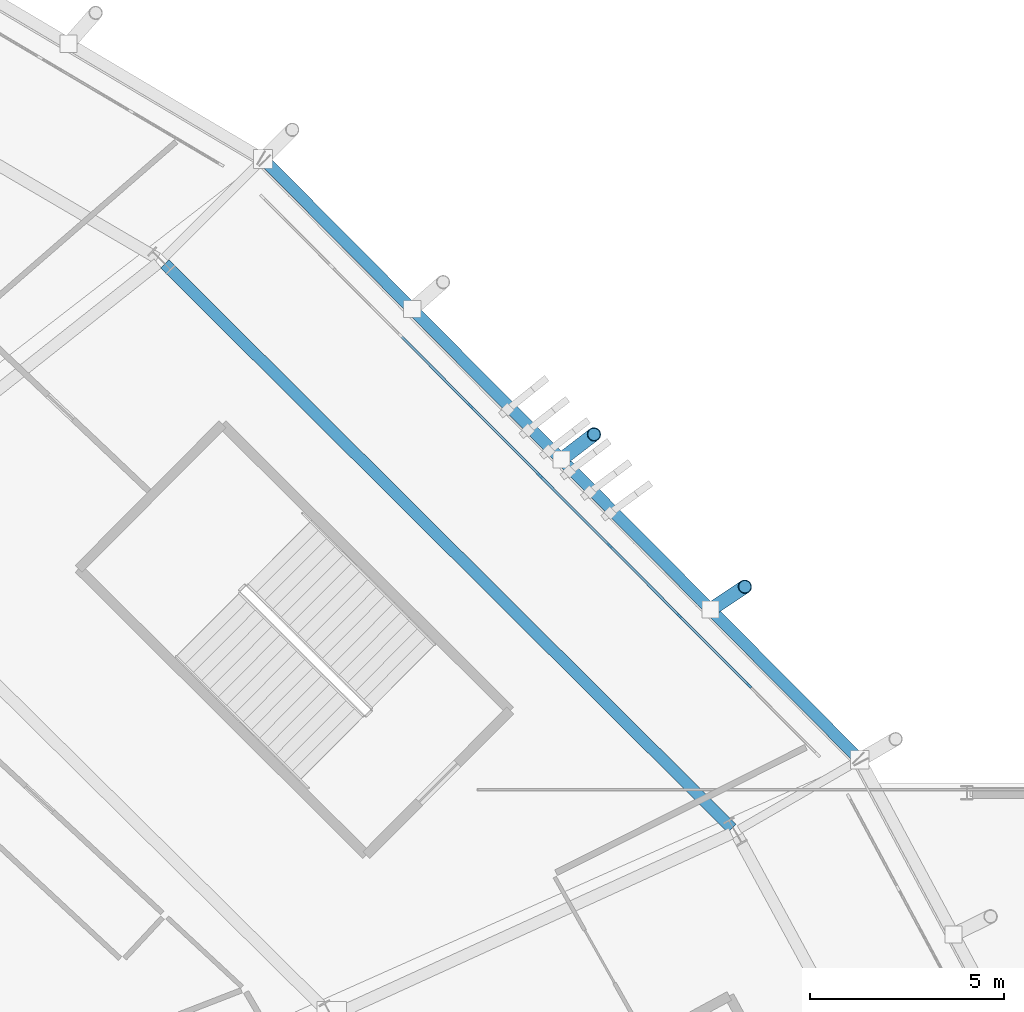
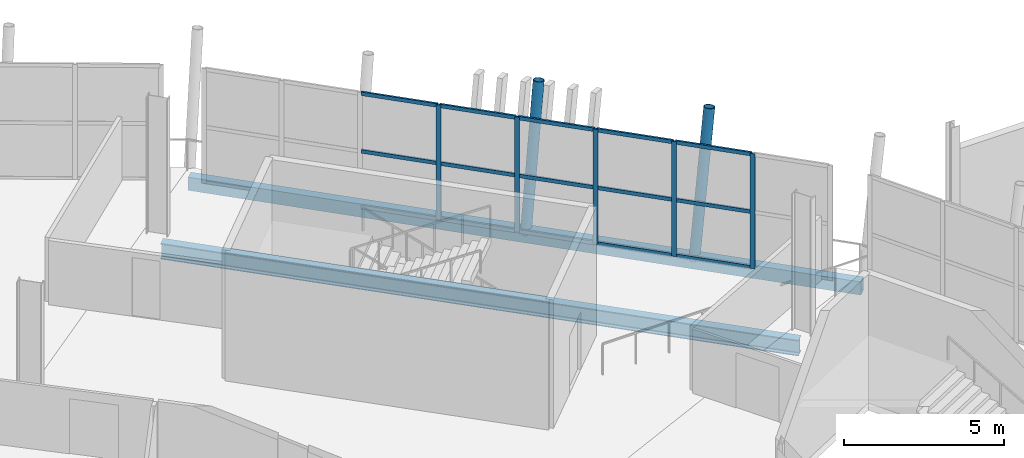
# One storey, part 58 of 168: 22 members, 2 beams, 1 element without a shape of its own.
"""IFC4 building model written with IfcOpenShell, lengths in metres."""

import ifcopenshell
import ifcopenshell.guid

model = None  # the IFC model being written
_history = None  # IfcOwnerHistory: only IFC2X3 demands one
_inside = {}  # id of a spatial element -> (the spatial element, [elements in it])
_under = {}  # id of a project, library or spatial element -> (it, [spatial elements below it])
_declared = {}  # id of a project -> (the project, [libraries it declares])
_typed = {}  # id of a type object -> (the type object, [elements of that type])
_made_of = {}  # id of a material, layer set ... -> (it, [elements and type objects made of it])


def new_model(schema):
    """Start an empty IFC model of exactly this schema.

    Asked for "IFC4X3", IfcOpenShell would pick the latest addendum, in which some entities
    have other attributes; the version numbers below select the first issue.
    IFC2X3 requires an IfcOwnerHistory on every rooted entity: one is made here for all.
    """
    global model, _history
    if schema == "IFC4X3":
        model = ifcopenshell.file(schema_version=(4, 3, 0, 0))
    else:
        model = ifcopenshell.file(schema=schema)
    _inside.clear()
    _under.clear()
    _declared.clear()
    _typed.clear()
    _made_of.clear()
    _history = None
    if model.schema == "IFC2X3":
        org = make("IfcOrganization", Name="unknown")
        user = make(
            "IfcPersonAndOrganization",
            ThePerson=make("IfcPerson", FamilyName="unknown"),
            TheOrganization=org,
        )
        app = make(
            "IfcApplication",
            ApplicationDeveloper=org,
            Version="unknown",
            ApplicationFullName="unknown",
            ApplicationIdentifier="unknown",
        )
        _history = make(
            "IfcOwnerHistory",
            OwningUser=user,
            OwningApplication=app,
            ChangeAction="ADDED",
            CreationDate=0,
        )
    return model


def make(cls, **values):
    """One entity of the class cls with the attributes given. An attribute that is None is left unset."""
    return model.create_entity(
        cls, **{name: value for name, value in values.items() if value is not None}
    )


def rooted(cls, **values):
    """An entity with a GlobalId (a new one), such as an element, a storey or a relation."""
    return make(cls, GlobalId=ifcopenshell.guid.new(), OwnerHistory=_history, **values)


def si_unit(unit_type, name, prefix=None):
    """IfcSIUnit, for example si_unit("LENGTHUNIT", "METRE", prefix="MILLI")."""
    return make("IfcSIUnit", UnitType=unit_type, Prefix=prefix, Name=name)


def assignment(units):
    """IfcUnitAssignment: the units of a project."""
    return None if units is None else make("IfcUnitAssignment", Units=units)


def point(xyz):
    """IfcCartesianPoint."""
    return None if xyz is None else make("IfcCartesianPoint", Coordinates=xyz)


def direction(xyz):
    """IfcDirection."""
    return None if xyz is None else make("IfcDirection", DirectionRatios=xyz)


def frame(location, z_axis=None, x_axis=None):
    """IfcAxis2Placement3D, a coordinate frame: its origin and axes. An axis left out is left unset."""
    return make(
        "IfcAxis2Placement3D",
        Location=point(location),
        Axis=direction(z_axis),
        RefDirection=direction(x_axis),
    )


def frame_2d(location, x_axis=None):
    """IfcAxis2Placement2D, a coordinate frame in the plane: its origin and x axis."""
    return make(
        "IfcAxis2Placement2D", Location=point(location), RefDirection=direction(x_axis)
    )


def origin():
    """The frame at (0, 0, 0) with its axes left unset."""
    return frame((0.0, 0.0, 0.0))


def origin_2d():
    """The frame at (0, 0) in the plane with its x axis left unset."""
    return frame_2d((0.0, 0.0))


def place(relative_to, where):
    """IfcLocalPlacement: puts the frame where relative to a parent placement (None: the world)."""
    return make(
        "IfcLocalPlacement", PlacementRelTo=relative_to, RelativePlacement=where
    )


def context(
    kind, dimensions, precision=None, world=None, true_north=None, identifier=None
):
    """IfcGeometricRepresentationContext, for example the 3D "Model" context."""
    return make(
        "IfcGeometricRepresentationContext",
        ContextIdentifier=identifier,
        ContextType=kind,
        CoordinateSpaceDimension=dimensions,
        Precision=precision,
        WorldCoordinateSystem=world,
        TrueNorth=true_north,
    )


def subcontext(parent, identifier, kind, view, scale=None):
    """IfcGeometricRepresentationSubContext, for example "Body" below "Model"."""
    return make(
        "IfcGeometricRepresentationSubContext",
        ContextIdentifier=identifier,
        ContextType=kind,
        ParentContext=parent,
        TargetScale=scale,
        TargetView=view,
    )


def project(units=None, contexts=None):
    """IfcProject with its units and contexts."""
    return rooted(
        "IfcProject",
        Name="project",
        RepresentationContexts=contexts,
        UnitsInContext=assignment(units),
    )


def spatial(cls, under=None, at=None, **own):
    """A site, building, storey or space (cls), placed at a placement, below another one or the project."""
    s = rooted(cls, ObjectPlacement=at, **own)
    if under is not None:
        _under.setdefault(under.id(), (under, []))[1].append(s)
    return s


def profile(cls, at=None, kind="AREA", **sizes):
    """A parametric profile (cls). Its sizes go by their IFC names, for example OverallWidth=200.0."""
    return make(cls, ProfileType=kind, Position=at, **sizes)


def rectangle(**sizes):
    """IfcRectangleProfileDef."""
    return profile("IfcRectangleProfileDef", **sizes)


def hollow_rectangle(**sizes):
    """IfcRectangleHollowProfileDef."""
    return profile("IfcRectangleHollowProfileDef", **sizes)


def hollow_circle(**sizes):
    """IfcCircleHollowProfileDef."""
    return profile("IfcCircleHollowProfileDef", **sizes)


def i_section(**sizes):
    """IfcIShapeProfileDef."""
    return profile("IfcIShapeProfileDef", **sizes)


def extrude(swept, where, along, depth):
    """IfcExtrudedAreaSolid: the profile swept, set in the frame where, extruded along a direction by depth."""
    return make(
        "IfcExtrudedAreaSolid",
        SweptArea=swept,
        Position=where,
        ExtrudedDirection=direction(along),
        Depth=depth,
    )


def shape(context_of_items, identifier, shape_type, items):
    """IfcShapeRepresentation: the items that make up one representation, for example the "Body"."""
    return make(
        "IfcShapeRepresentation",
        ContextOfItems=context_of_items,
        RepresentationIdentifier=identifier,
        RepresentationType=shape_type,
        Items=items,
    )


def material(Name=None, Category=None):
    """IfcMaterial."""
    return make("IfcMaterial", Name=Name, Category=Category)


def material_profile(
    of_material, cross_section, Name=None, Category=None, Priority=None
):
    """IfcMaterialProfile: a cross section and its material."""
    return make(
        "IfcMaterialProfile",
        Name=Name,
        Material=of_material,
        Profile=cross_section,
        Priority=Priority,
        Category=Category,
    )


def profile_set(profiles, Name=None, composite=None):
    """IfcMaterialProfileSet."""
    return make(
        "IfcMaterialProfileSet",
        Name=Name,
        MaterialProfiles=profiles,
        CompositeProfile=composite,
    )


def made_of(thing, what):
    """Note that an element or type object is made of a material, layer set ...; save() writes the relation."""
    if what is not None:
        _made_of.setdefault(what.id(), (what, []))[1].append(thing)
    return thing


def type_object(cls, material=None, **own):
    """A type object (cls), such as IfcWallType, which elements share."""
    return made_of(rooted(cls, **own), material)


def element(
    cls,
    number,
    at=None,
    inside=None,
    cuts=None,
    type_object=None,
    material=None,
    context=None,
    identifier="Body",
    shape_type=None,
    held_by="IfcProductDefinitionShape",
    body=None,
    shapes=None,
    **own,
):
    """One element of the class cls, such as IfcWall. Its Tag is "e" and its number.

    at: its placement. inside: the storey or other place that contains it. cuts: it is an
    opening in that element (IfcRelVoidsElement). A single representation is given by context,
    identifier, shape_type and body (its items); several are given by shapes. held_by: the class
    of the entity that holds the representations. save() writes the other relations.
    """
    e = rooted(cls, Tag="e%d" % number, ObjectPlacement=at, **own)
    if body is not None:
        shapes = [shape(context, identifier, shape_type, body)]
    if shapes is not None:
        e.Representation = make(held_by, Representations=shapes)
    if inside is not None:
        _inside.setdefault(inside.id(), (inside, []))[1].append(e)
    if cuts is not None:
        rooted(
            "IfcRelVoidsElement", RelatingBuildingElement=cuts, RelatedOpeningElement=e
        )
    if type_object is not None:
        _typed.setdefault(type_object.id(), (type_object, []))[1].append(e)
    return made_of(e, material)


def aggregate(whole, parts):
    """IfcRelAggregates: a whole, such as a stair, and the parts it consists of."""
    return rooted("IfcRelAggregates", RelatingObject=whole, RelatedObjects=parts)


def save(model, path):
    """Write the relations noted so far, then the file.

    IfcRelAggregates (storeys below a building ...), IfcRelContainedInSpatialStructure (elements
    in a storey), IfcRelDefinesByType, IfcRelAssociatesMaterial and IfcRelDeclares: one each for
    every whole, place, type object, material and project.
    """
    for whole, parts in _under.values():
        aggregate(whole, parts)
    for where, things in _inside.values():
        rooted(
            "IfcRelContainedInSpatialStructure",
            RelatedElements=things,
            RelatingStructure=where,
        )
    for kind, things in _typed.values():
        rooted("IfcRelDefinesByType", RelatedObjects=things, RelatingType=kind)
    for what, things in _made_of.values():
        rooted("IfcRelAssociatesMaterial", RelatedObjects=things, RelatingMaterial=what)
    for by, libraries in _declared.values():
        rooted("IfcRelDeclares", RelatingContext=by, RelatedDefinitions=libraries)
    model.write(path)


model = new_model("IFC4")

# Units and contexts
model_context = context("Model", 3, precision=1e-05, world=origin(), true_north=direction((0.0, 1.0)))
body_context = subcontext(model_context, "Body", "Model", "MODEL_VIEW")
ifc_project = project(units=[si_unit("LENGTHUNIT", "METRE"), si_unit("AREAUNIT", "SQUARE_METRE"), si_unit("VOLUMEUNIT", "CUBIC_METRE"), si_unit("PLANEANGLEUNIT", "RADIAN"), si_unit("MASSUNIT", "GRAM", prefix="KILO")], contexts=[model_context])

# Site, building, storey
site_placement = place(None, origin())
site = spatial("IfcSite", under=ifc_project, at=site_placement, CompositionType="ELEMENT")
building_placement = place(site_placement, origin())
building = spatial("IfcBuilding", under=site, at=building_placement, Name="Zlatoyarsky Gate Stadium", CompositionType="ELEMENT")
storey_placement = place(building_placement, frame((0.0, 0.0, 15.60009765625)))
storey = spatial("IfcBuildingStorey", under=building, at=storey_placement, Name="L03", CompositionType="ELEMENT", Elevation=15.60009765625)

# Curtain wall, members
ifc_material_1 = material(Name="Thermally broken anodised aluminium curtain wall", Category="aluminium")
curtain_wall_type = type_object("IfcCurtainWallType", Name="UNITISED CORPORATE BOX GLAZING L03", PredefinedType="USERDEFINED", material=ifc_material_1)
curtain_wall_placement = place(storey_placement, origin())
curtain_wall = element("IfcCurtainWall", 1, at=curtain_wall_placement, inside=storey, type_object=curtain_wall_type, Name="Curtain wall CW-L03-02", ObjectType="UNITISED GLAZING", PredefinedType="USERDEFINED")
ifc_material_2 = material(Name="Anodised aluminium 6063-T6", Category="aluminium")
ifc_material_profile_1 = material_profile(ifc_material_2, rectangle(XDim=0.06494140625, YDim=0.159912109375, at=origin_2d()), Name="ALU 65X160")
ifc_profile_set_1 = profile_set([ifc_material_profile_1], Name="Anodised aluminium 6063-T6")
member_type_1 = type_object("IfcMemberType", Name="ALUMINIUM MULLION 65X160", PredefinedType="MULLION", material=ifc_profile_set_1)
member_1_placement = place(storey_placement, frame((191.889404296875, 119.262451171875, 0.0), z_axis=(0.0, 0.0, 1.0), x_axis=(-0.708721143054, -0.705488725202, 0.0)))
member_1 = element("IfcMember", 2, at=member_1_placement, type_object=member_type_1, Name="CW-UG3 mullion 2", PredefinedType="MULLION", context=body_context, shape_type="SweptSolid", body=[
    extrude(rectangle(XDim=0.06494140625, YDim=0.159912109375, at=origin_2d()), origin(), (0.0, 0.0, 1.0), 4.3798828125),
])
member_2_placement = place(storey_placement, frame((190.096923828125, 121.06298828125, 0.0), z_axis=(0.0, 0.0, 1.0), x_axis=(-0.708721143054, -0.705488725202, 0.0)))
member_2 = element("IfcMember", 3, at=member_2_placement, type_object=member_type_1, Name="CW-UG3 mullion 3", PredefinedType="MULLION", context=body_context, shape_type="SweptSolid", body=[
    extrude(rectangle(XDim=0.06494140625, YDim=0.159912109375, at=origin_2d()), origin(), (0.0, 0.0, 1.0), 4.3798828125),
])
member_3_placement = place(storey_placement, frame((188.304443359375, 122.86376953125, 0.0), z_axis=(0.0, 0.0, 1.0), x_axis=(-0.708721143054, -0.705488725202, 0.0)))
member_3 = element("IfcMember", 4, at=member_3_placement, type_object=member_type_1, Name="CW-UG3 mullion 4", PredefinedType="MULLION", context=body_context, shape_type="SweptSolid", body=[
    extrude(rectangle(XDim=0.06494140625, YDim=0.159912109375, at=origin_2d()), origin(), (0.0, 0.0, 1.0), 4.3798828125),
])
member_4_placement = place(storey_placement, frame((186.511962890625, 124.664306640625, 0.0), z_axis=(0.0, 0.0, 1.0), x_axis=(-0.708721143054, -0.705488725202, 0.0)))
member_4 = element("IfcMember", 5, at=member_4_placement, type_object=member_type_1, Name="CW-UG3 mullion 5", PredefinedType="MULLION", context=body_context, shape_type="SweptSolid", body=[
    extrude(rectangle(XDim=0.06494140625, YDim=0.159912109375, at=origin_2d()), origin(), (0.0, 0.0, 1.0), 4.3798828125),
])
member_5_placement = place(storey_placement, frame((184.7197265625, 126.46484375, 0.0), z_axis=(0.0, 0.0, 1.0), x_axis=(-0.708721143054, -0.705488725202, 0.0)))
member_5 = element("IfcMember", 6, at=member_5_placement, type_object=member_type_1, Name="CW-UG3 mullion 6", PredefinedType="MULLION", context=body_context, shape_type="SweptSolid", body=[
    extrude(rectangle(XDim=0.06494140625, YDim=0.159912109375, at=origin_2d()), origin(), (0.0, 0.0, 1.0), 4.3798828125),
])
ifc_material_profile_2 = material_profile(ifc_material_2, rectangle(XDim=0.06494140625, YDim=0.139892578125, at=origin_2d()), Name="ALU 65X140")
ifc_profile_set_2 = profile_set([ifc_material_profile_2], Name="Anodised aluminium 6063-T6")
member_type_2 = type_object("IfcMemberType", Name="ALUMINIUM TRANSOM 65X140", PredefinedType="USERDEFINED", material=ifc_profile_set_2)
member_6_placement = place(storey_placement, frame((191.866455078125, 119.285400390625, 0.032470703125), z_axis=(-0.705477793712, 0.708732024519, 0.0), x_axis=(-0.708732024519, -0.705477793712, 0.0)))
member_6 = element("IfcMember", 7, at=member_6_placement, type_object=member_type_2, Name="CW-UG3 transom 2.1", ObjectType="TRANSOM", PredefinedType="USERDEFINED", context=body_context, shape_type="SweptSolid", body=[
    extrude(rectangle(XDim=0.06494140625, YDim=0.139892578125, at=origin_2d()), origin(), (0.0, 0.0, 1.0), 2.475830078125),
])
member_7_placement = place(storey_placement, frame((191.866455078125, 119.285400390625, 2.14990234375), z_axis=(-0.705477793712, 0.708732024519, 0.0), x_axis=(-0.708732024519, -0.705477793712, 0.0)))
member_7 = element("IfcMember", 8, at=member_7_placement, type_object=member_type_2, Name="CW-UG3 transom 2.2", ObjectType="TRANSOM", PredefinedType="USERDEFINED", context=body_context, shape_type="SweptSolid", body=[
    extrude(rectangle(XDim=0.06494140625, YDim=0.139892578125, at=origin_2d()), origin(), (0.0, 0.0, 1.0), 2.475830078125),
])
member_8_placement = place(storey_placement, frame((191.866455078125, 119.285400390625, 4.347412109375), z_axis=(-0.705477793712, 0.708732024519, 0.0), x_axis=(-0.708732024519, -0.705477793712, 0.0)))
member_8 = element("IfcMember", 9, at=member_8_placement, type_object=member_type_2, Name="CW-UG3 transom 2.3", ObjectType="TRANSOM", PredefinedType="USERDEFINED", context=body_context, shape_type="SweptSolid", body=[
    extrude(rectangle(XDim=0.06494140625, YDim=0.139892578125, at=origin_2d()), origin(), (0.0, 0.0, 1.0), 2.475830078125),
])
member_9_placement = place(storey_placement, frame((190.073974609375, 121.086181640625, 0.032470703125), z_axis=(-0.705527101456, 0.708682939763, 0.0), x_axis=(-0.708682939763, -0.705527101456, 0.0)))
member_9 = element("IfcMember", 10, at=member_9_placement, type_object=member_type_2, Name="CW-UG3 transom 3.1", ObjectType="TRANSOM", PredefinedType="USERDEFINED", context=body_context, shape_type="SweptSolid", body=[
    extrude(rectangle(XDim=0.06494140625, YDim=0.139892578125, at=origin_2d()), origin(), (0.0, 0.0, 1.0), 2.4755859375),
])
member_10_placement = place(storey_placement, frame((190.073974609375, 121.086181640625, 2.14990234375), z_axis=(-0.705527101456, 0.708682939763, 0.0), x_axis=(-0.708682939763, -0.705527101456, 0.0)))
member_10 = element("IfcMember", 11, at=member_10_placement, type_object=member_type_2, Name="CW-UG3 transom 3.2", ObjectType="TRANSOM", PredefinedType="USERDEFINED", context=body_context, shape_type="SweptSolid", body=[
    extrude(rectangle(XDim=0.06494140625, YDim=0.139892578125, at=origin_2d()), origin(), (0.0, 0.0, 1.0), 2.4755859375),
])
member_11_placement = place(storey_placement, frame((190.073974609375, 121.086181640625, 4.347412109375), z_axis=(-0.705527101456, 0.708682939763, 0.0), x_axis=(-0.708682939763, -0.705527101456, 0.0)))
member_11 = element("IfcMember", 12, at=member_11_placement, type_object=member_type_2, Name="CW-UG3 transom 3.3", ObjectType="TRANSOM", PredefinedType="USERDEFINED", context=body_context, shape_type="SweptSolid", body=[
    extrude(rectangle(XDim=0.06494140625, YDim=0.139892578125, at=origin_2d()), origin(), (0.0, 0.0, 1.0), 2.4755859375),
])
member_12_placement = place(storey_placement, frame((188.281494140625, 122.88671875, 0.032470703125), z_axis=(-0.705477793712, 0.708732024519, 0.0), x_axis=(-0.708732024519, -0.705477793712, 0.0)))
member_12 = element("IfcMember", 13, at=member_12_placement, type_object=member_type_2, Name="CW-UG3 transom 4.1", ObjectType="TRANSOM", PredefinedType="USERDEFINED", context=body_context, shape_type="SweptSolid", body=[
    extrude(rectangle(XDim=0.06494140625, YDim=0.139892578125, at=origin_2d()), origin(), (0.0, 0.0, 1.0), 2.475830078125),
])
member_13_placement = place(storey_placement, frame((188.281494140625, 122.88671875, 2.14990234375), z_axis=(-0.705477793712, 0.708732024519, 0.0), x_axis=(-0.708732024519, -0.705477793712, 0.0)))
member_13 = element("IfcMember", 14, at=member_13_placement, type_object=member_type_2, Name="CW-UG3 transom 4.2", ObjectType="TRANSOM", PredefinedType="USERDEFINED", context=body_context, shape_type="SweptSolid", body=[
    extrude(rectangle(XDim=0.06494140625, YDim=0.139892578125, at=origin_2d()), origin(), (0.0, 0.0, 1.0), 2.475830078125),
])
member_14_placement = place(storey_placement, frame((188.281494140625, 122.88671875, 4.347412109375), z_axis=(-0.705477793712, 0.708732024519, 0.0), x_axis=(-0.708732024519, -0.705477793712, 0.0)))
member_14 = element("IfcMember", 15, at=member_14_placement, type_object=member_type_2, Name="CW-UG3 transom 4.3", ObjectType="TRANSOM", PredefinedType="USERDEFINED", context=body_context, shape_type="SweptSolid", body=[
    extrude(rectangle(XDim=0.06494140625, YDim=0.139892578125, at=origin_2d()), origin(), (0.0, 0.0, 1.0), 2.475830078125),
])
member_15_placement = place(storey_placement, frame((186.489013671875, 124.687255859375, 0.032470703125), z_axis=(-0.705428255099, 0.708781332223, 0.0), x_axis=(-0.708781332223, -0.705428255099, 0.0)))
member_15 = element("IfcMember", 16, at=member_15_placement, type_object=member_type_2, Name="CW-UG3 transom 5.1", ObjectType="TRANSOM", PredefinedType="USERDEFINED", context=body_context, shape_type="SweptSolid", body=[
    extrude(rectangle(XDim=0.06494140625, YDim=0.139892578125, at=origin_2d()), origin(), (0.0, 0.0, 1.0), 2.4755859375),
])
member_16_placement = place(storey_placement, frame((186.489013671875, 124.687255859375, 2.14990234375), z_axis=(-0.705428255099, 0.708781332223, 0.0), x_axis=(-0.708781332223, -0.705428255099, 0.0)))
member_16 = element("IfcMember", 17, at=member_16_placement, type_object=member_type_2, Name="CW-UG3 transom 5.2", ObjectType="TRANSOM", PredefinedType="USERDEFINED", context=body_context, shape_type="SweptSolid", body=[
    extrude(rectangle(XDim=0.06494140625, YDim=0.139892578125, at=origin_2d()), origin(), (0.0, 0.0, 1.0), 2.4755859375),
])
member_17_placement = place(storey_placement, frame((186.489013671875, 124.687255859375, 4.347412109375), z_axis=(-0.705428255099, 0.708781332223, 0.0), x_axis=(-0.708781332223, -0.705428255099, 0.0)))
member_17 = element("IfcMember", 18, at=member_17_placement, type_object=member_type_2, Name="CW-UG3 transom 5.3", ObjectType="TRANSOM", PredefinedType="USERDEFINED", context=body_context, shape_type="SweptSolid", body=[
    extrude(rectangle(XDim=0.06494140625, YDim=0.139892578125, at=origin_2d()), origin(), (0.0, 0.0, 1.0), 2.4755859375),
])
member_18_placement = place(storey_placement, frame((184.69677734375, 126.488037109375, 0.032470703125), z_axis=(-0.705527101456, 0.708682939763, 0.0), x_axis=(-0.708682939763, -0.705527101456, 0.0)))
member_18 = element("IfcMember", 19, at=member_18_placement, type_object=member_type_2, Name="CW-UG3 transom 6.1", ObjectType="TRANSOM", PredefinedType="USERDEFINED", context=body_context, shape_type="SweptSolid", body=[
    extrude(rectangle(XDim=0.06494140625, YDim=0.139892578125, at=origin_2d()), origin(), (0.0, 0.0, 1.0), 2.4755859375),
])
member_19_placement = place(storey_placement, frame((184.69677734375, 126.488037109375, 2.14990234375), z_axis=(-0.705527101456, 0.708682939763, 0.0), x_axis=(-0.708682939763, -0.705527101456, 0.0)))
member_19 = element("IfcMember", 20, at=member_19_placement, type_object=member_type_2, Name="CW-UG3 transom 6.2", ObjectType="TRANSOM", PredefinedType="USERDEFINED", context=body_context, shape_type="SweptSolid", body=[
    extrude(rectangle(XDim=0.06494140625, YDim=0.139892578125, at=origin_2d()), origin(), (0.0, 0.0, 1.0), 2.4755859375),
])
member_20_placement = place(storey_placement, frame((184.69677734375, 126.488037109375, 4.347412109375), z_axis=(-0.705527101456, 0.708682939763, 0.0), x_axis=(-0.708682939763, -0.705527101456, 0.0)))
member_20 = element("IfcMember", 21, at=member_20_placement, type_object=member_type_2, Name="CW-UG3 transom 6.3", ObjectType="TRANSOM", PredefinedType="USERDEFINED", context=body_context, shape_type="SweptSolid", body=[
    extrude(rectangle(XDim=0.06494140625, YDim=0.139892578125, at=origin_2d()), origin(), (0.0, 0.0, 1.0), 2.4755859375),
])
aggregate(curtain_wall, [member_1, member_2, member_3, member_4, member_5, member_6, member_7, member_8, member_9, member_10, member_11, member_12, member_13, member_14, member_15, member_16, member_17, member_18, member_19, member_20])

# Members
ifc_material_3 = material(Name="Steel S355", Category="steel")
ifc_material_profile_3 = material_profile(ifc_material_3, hollow_circle(Radius=0.177734375, WallThickness=0.02001953125, at=origin_2d()), Name="CHS 355.6X20")
ifc_profile_set_3 = profile_set([ifc_material_profile_3], Name="Steel S355")
member_type_3 = type_object("IfcMemberType", Name="STEEL LEANING RIB RING STRUT CHS 355.6X20", PredefinedType="STRUT", material=ifc_profile_set_3)
member_21_placement = place(storey_placement, frame((190.90478515625, 121.218994140625, -0.530029296875), z_axis=(0.166782151145, 0.111372798605, 0.979683527365), x_axis=(-0.555337619613, 0.831624992555, 0.0)))
element("IfcMember", 22, at=member_21_placement, inside=storey, type_object=member_type_3, Name="Outward-leaning bowl louvre fin rib L03 02-1", PredefinedType="STRUT", context=body_context, shape_type="SweptSolid", body=[
    extrude(hollow_circle(Radius=0.177734375, WallThickness=0.02001953125, at=origin_2d()), origin(), (0.0, 0.0, 1.0), 5.287353515625),
])
member_22_placement = place(storey_placement, frame((187.062744140625, 125.086669921875, -0.530029296875), z_axis=(0.158761356105, 0.121864810576, 0.979767217124), x_axis=(-0.608896451371, 0.793249715731, 0.0)))
element("IfcMember", 23, at=member_22_placement, inside=storey, type_object=member_type_3, Name="Outward-leaning bowl louvre fin rib L03 02-2", PredefinedType="STRUT", context=body_context, shape_type="SweptSolid", body=[
    extrude(hollow_circle(Radius=0.177734375, WallThickness=0.02001953125, at=origin_2d()), origin(), (0.0, 0.0, 1.0), 5.286865234375),
])

# Beams
ifc_material_profile_4 = material_profile(ifc_material_3, hollow_rectangle(XDim=0.300048828125, YDim=0.5, WallThickness=0.02001953125, at=origin_2d()), Name="RHS 500X300X20")
ifc_profile_set_4 = profile_set([ifc_material_profile_4], Name="Steel S355")
beam_type_1 = type_object("IfcBeamType", Name="STEEL LOUVRE CARRIER SPANDREL RHS 500X300X20", PredefinedType="SPANDREL", material=ifc_profile_set_4)
beam_1_placement = place(storey_placement, frame((194.732421875, 117.365234375, -0.530029296875), z_axis=(-0.704730557103, 0.709475046697, 0.0), x_axis=(-0.709475046697, -0.704730557103, 0.0)))
element("IfcBeam", 24, at=beam_1_placement, inside=storey, type_object=beam_type_1, Name="Beam SP-RHS500 BM-L03-SPD-02", PredefinedType="SPANDREL", context=body_context, shape_type="SweptSolid", body=[
    extrude(hollow_rectangle(XDim=0.300048828125, YDim=0.5, WallThickness=0.02001953125, at=origin_2d()), origin(), (0.0, 0.0, 1.0), 21.7666015625),
])
ifc_material_profile_5 = material_profile(ifc_material_3, i_section(OverallWidth=0.300048828125, OverallDepth=0.60009765625, WebThickness=0.015380859375, FlangeThickness=0.030029296875, FilletRadius=0.027099609375, at=origin_2d()), Name="HEB 600")
ifc_profile_set_5 = profile_set([ifc_material_profile_5], Name="Steel S355")
beam_type_2 = type_object("IfcBeamType", Name="STEEL PRIMARY GIRDER HEB 600", PredefinedType="BEAM", material=ifc_profile_set_5)
beam_2_placement = place(storey_placement, frame((191.455322265625, 115.584716796875, -0.580078125), z_axis=(-0.708899260134, 0.705309746835, 0.0), x_axis=(-0.705309746835, -0.708899260134, 0.0)))
element("IfcBeam", 25, at=beam_2_placement, inside=storey, type_object=beam_type_2, Name="Beam G-HEB600 BM-L03-CRC-02", PredefinedType="BEAM", context=body_context, shape_type="SweptSolid", body=[
    extrude(i_section(OverallWidth=0.300048828125, OverallDepth=0.60009765625, WebThickness=0.015380859375, FlangeThickness=0.030029296875, FilletRadius=0.027099609375, at=origin_2d()), origin(), (0.0, 0.0, 1.0), 20.608642578125),
])

save(model, "model.ifc")
